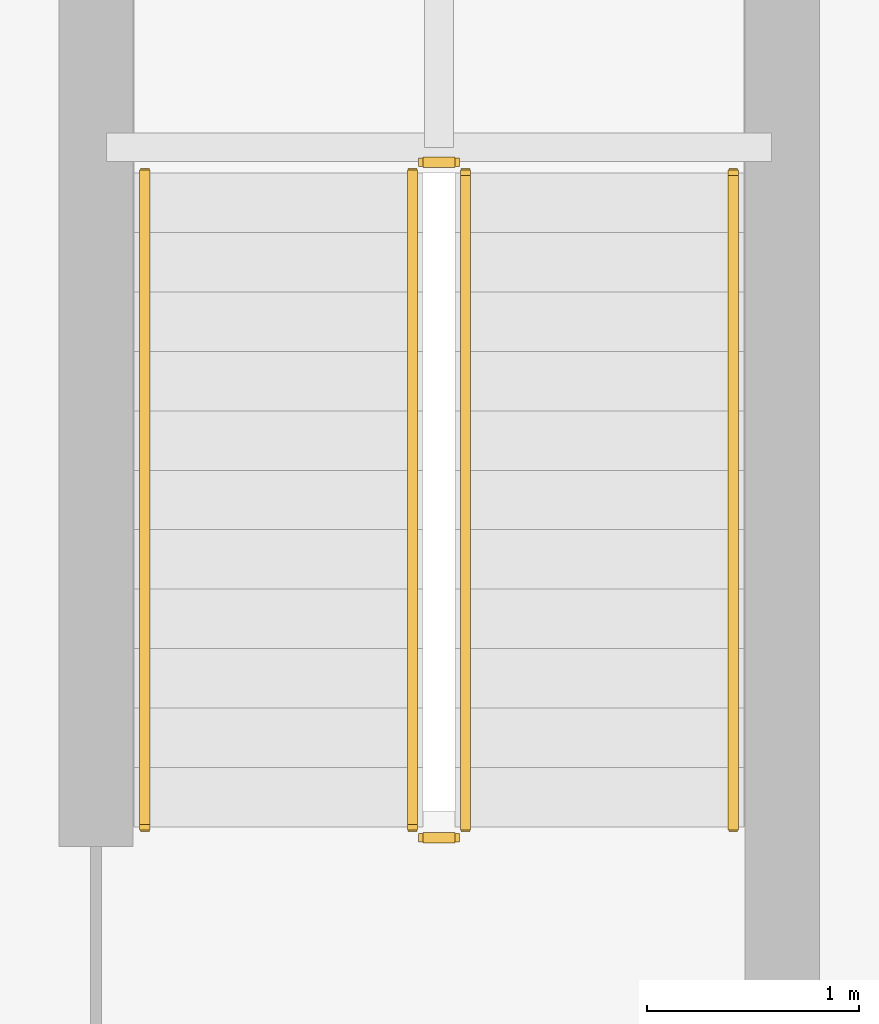
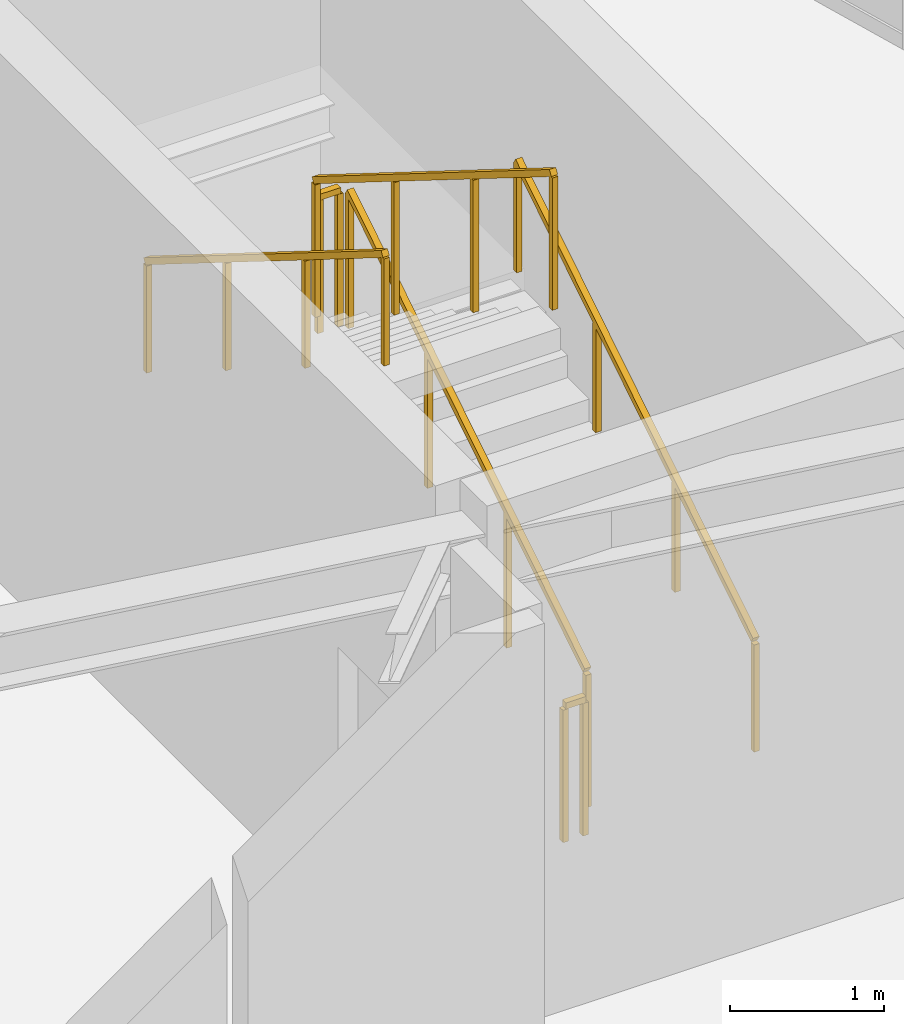
# One storey, part 19 of 21: 6 railings.
"""IFC4 building model written with IfcOpenShell, lengths in metres."""

from ifc_helpers import new_model, si_unit, direction, frame, origin, origin_2d, place, context, subcontext, project, spatial, rectangle, extrude, material, type_object, element, save


model = new_model("IFC4")

# Units and contexts
model_context = context("Model", 3, precision=1e-05, world=origin(), true_north=direction((0.0, 1.0)))
body_context = subcontext(model_context, "Body", "Model", "MODEL_VIEW")
ifc_project = project(units=[si_unit("LENGTHUNIT", "METRE"), si_unit("AREAUNIT", "SQUARE_METRE"), si_unit("VOLUMEUNIT", "CUBIC_METRE"), si_unit("PLANEANGLEUNIT", "RADIAN"), si_unit("MASSUNIT", "GRAM", prefix="KILO")], contexts=[model_context])

# Site, building, storey
site_placement = place(None, origin())
site = spatial("IfcSite", under=ifc_project, at=site_placement, CompositionType="ELEMENT")
building_placement = place(site_placement, origin())
building = spatial("IfcBuilding", under=site, at=building_placement, Name="Varnakorn Sky Granary", CompositionType="ELEMENT")
storey_placement = place(building_placement, frame((0.0, 0.0, 298.199951171875)))
storey = spatial("IfcBuildingStorey", under=building, at=storey_placement, Name="L76", CompositionType="ELEMENT", Elevation=298.199951171875)

# Railings
ifc_material = material(Name="Brushed Stainless Steel 316", Category="steel")
railing_type_1 = type_object("IfcRailingType", Name="RL-STAIR-1100", PredefinedType="GUARDRAIL", material=ifc_material)
railing_1_placement = place(storey_placement, frame((16.090087890625, -6.139892578125, 0.175048828125)))
element("IfcRailing", 1, at=railing_1_placement, inside=storey, type_object=railing_type_1, Name="L76 ST-C2 stair guard 1", PredefinedType="GUARDRAIL", context=body_context, shape_type="SweptSolid", body=[
    extrude(rectangle(XDim=0.048095703125, YDim=0.048095703125, at=origin_2d()), frame((0.0, 0.0, 1.076171875), z_axis=(0.0, 0.847979421464, 0.530029150871), x_axis=(-1.0, 0.0, 0.0)), (0.0, 0.0, 1.0), 3.632080078125),
    extrude(rectangle(XDim=0.0419921875, YDim=0.0419921875, at=origin_2d()), origin(), (0.0, 0.0, 1.0), 1.048095703125),
    extrude(rectangle(XDim=0.0419921875, YDim=0.0419921875, at=origin_2d()), frame((0.0, 1.026611328125, 0.6416015625)), (0.0, 0.0, 1.0), 1.048095703125),
    extrude(rectangle(XDim=0.0419921875, YDim=0.0419921875, at=origin_2d()), frame((0.0, 2.05322265625, 1.283447265625)), (0.0, 0.0, 1.0), 1.048095703125),
    extrude(rectangle(XDim=0.0419921875, YDim=0.0419921875, at=origin_2d()), frame((0.0, 3.079833984375, 1.925048828125)), (0.0, 0.0, 1.0), 1.048095703125),
])
railing_2_placement = place(storey_placement, frame((16.0400390625, -3.010009765625, 2.10009765625)))
element("IfcRailing", 2, at=railing_2_placement, inside=storey, type_object=railing_type_1, Name="L76 ST-C2 stair guard 2", PredefinedType="GUARDRAIL", context=body_context, shape_type="SweptSolid", body=[
    extrude(rectangle(XDim=0.048095703125, YDim=0.048095703125, at=origin_2d()), frame((0.0, 0.0, 1.076171875), z_axis=(-1.0, 0.0, 0.0), x_axis=(0.0, -1.0, 0.0)), (0.0, 0.0, 1.0), 0.150146484375),
    extrude(rectangle(XDim=0.0419921875, YDim=0.0419921875, at=origin_2d()), origin(), (0.0, 0.0, 1.0), 1.048095703125),
    extrude(rectangle(XDim=0.0419921875, YDim=0.0419921875, at=origin_2d()), frame((-0.150146484375, 0.0, 0.0)), (0.0, 0.0, 1.0), 1.048095703125),
])
railing_3_placement = place(storey_placement, frame((15.840087890625, -3.06005859375, 2.275146484375)))
element("IfcRailing", 3, at=railing_3_placement, inside=storey, type_object=railing_type_1, Name="L76 ST-C2 stair guard 3", PredefinedType="GUARDRAIL", context=body_context, shape_type="SweptSolid", body=[
    extrude(rectangle(XDim=0.048095703125, YDim=0.048095703125, at=origin_2d()), frame((0.0, 0.0, 1.076171875), z_axis=(0.0, -0.848009633417, 0.529980812513), x_axis=(1.0, 0.0, 0.0)), (0.0, 0.0, 1.0), 3.6318359375),
    extrude(rectangle(XDim=0.0419921875, YDim=0.0419921875, at=origin_2d()), origin(), (0.0, 0.0, 1.0), 1.048095703125),
    extrude(rectangle(XDim=0.0419921875, YDim=0.0419921875, at=origin_2d()), frame((0.0, -1.026611328125, 0.6416015625)), (0.0, 0.0, 1.0), 1.048095703125),
    extrude(rectangle(XDim=0.0419921875, YDim=0.0419921875, at=origin_2d()), frame((0.0, -2.05322265625, 1.283203125)), (0.0, 0.0, 1.0), 1.048095703125),
    extrude(rectangle(XDim=0.0419921875, YDim=0.0419921875, at=origin_2d()), frame((0.0, -3.079833984375, 1.9248046875)), (0.0, 0.0, 1.0), 1.048095703125),
])
railing_4_placement = place(storey_placement, frame((16.0400390625, -6.18994140625, 0.0)))
element("IfcRailing", 4, at=railing_4_placement, inside=storey, type_object=railing_type_1, Name="L76 ST-C2 stair guard 4", PredefinedType="GUARDRAIL", context=body_context, shape_type="SweptSolid", body=[
    extrude(rectangle(XDim=0.048095703125, YDim=0.048095703125, at=origin_2d()), frame((0.0, 0.0, 1.076171875), z_axis=(-1.0, 0.0, 0.0), x_axis=(0.0, -1.0, 0.0)), (0.0, 0.0, 1.0), 0.150146484375),
    extrude(rectangle(XDim=0.0419921875, YDim=0.0419921875, at=origin_2d()), origin(), (0.0, 0.0, 1.0), 1.048095703125),
    extrude(rectangle(XDim=0.0419921875, YDim=0.0419921875, at=origin_2d()), frame((-0.150146484375, 0.0, 0.0)), (0.0, 0.0, 1.0), 1.048095703125),
])
railing_type_2 = type_object("IfcRailingType", Name="RL-STAIR-920", PredefinedType="HANDRAIL", material=ifc_material)
railing_5_placement = place(storey_placement, frame((17.35009765625, -6.139892578125, 0.175048828125)))
element("IfcRailing", 5, at=railing_5_placement, inside=storey, type_object=railing_type_2, Name="L76 ST-C2 stair handrail 1", PredefinedType="HANDRAIL", context=body_context, shape_type="SweptSolid", body=[
    extrude(rectangle(XDim=0.048095703125, YDim=0.048095703125, at=origin_2d()), frame((0.0, 0.0, 0.8759765625), z_axis=(0.0, 0.847979421464, 0.530029150871), x_axis=(-1.0, 0.0, 0.0)), (0.0, 0.0, 1.0), 3.632080078125),
    extrude(rectangle(XDim=0.0419921875, YDim=0.0419921875, at=origin_2d()), origin(), (0.0, 0.0, 1.0), 0.847900390625),
    extrude(rectangle(XDim=0.0419921875, YDim=0.0419921875, at=origin_2d()), frame((0.0, 1.026611328125, 0.6416015625)), (0.0, 0.0, 1.0), 0.847900390625),
    extrude(rectangle(XDim=0.0419921875, YDim=0.0419921875, at=origin_2d()), frame((0.0, 2.05322265625, 1.283447265625)), (0.0, 0.0, 1.0), 0.847900390625),
    extrude(rectangle(XDim=0.0419921875, YDim=0.0419921875, at=origin_2d()), frame((0.0, 3.079833984375, 1.925048828125)), (0.0, 0.0, 1.0), 0.847900390625),
])
railing_6_placement = place(storey_placement, frame((14.580078125, -3.06005859375, 2.275146484375)))
element("IfcRailing", 6, at=railing_6_placement, inside=storey, type_object=railing_type_2, Name="L76 ST-C2 stair handrail 2", PredefinedType="HANDRAIL", context=body_context, shape_type="SweptSolid", body=[
    extrude(rectangle(XDim=0.048095703125, YDim=0.048095703125, at=origin_2d()), frame((0.0, 0.0, 0.8759765625), z_axis=(0.0, -0.848009633417, 0.529980812513), x_axis=(1.0, 0.0, 0.0)), (0.0, 0.0, 1.0), 3.6318359375),
    extrude(rectangle(XDim=0.0419921875, YDim=0.0419921875, at=origin_2d()), origin(), (0.0, 0.0, 1.0), 0.847900390625),
    extrude(rectangle(XDim=0.0419921875, YDim=0.0419921875, at=origin_2d()), frame((0.0, -1.026611328125, 0.6416015625)), (0.0, 0.0, 1.0), 0.847900390625),
    extrude(rectangle(XDim=0.0419921875, YDim=0.0419921875, at=origin_2d()), frame((0.0, -2.05322265625, 1.283203125)), (0.0, 0.0, 1.0), 0.847900390625),
    extrude(rectangle(XDim=0.0419921875, YDim=0.0419921875, at=origin_2d()), frame((0.0, -3.079833984375, 1.9248046875)), (0.0, 0.0, 1.0), 0.847900390625),
])

save(model, "model.ifc")
